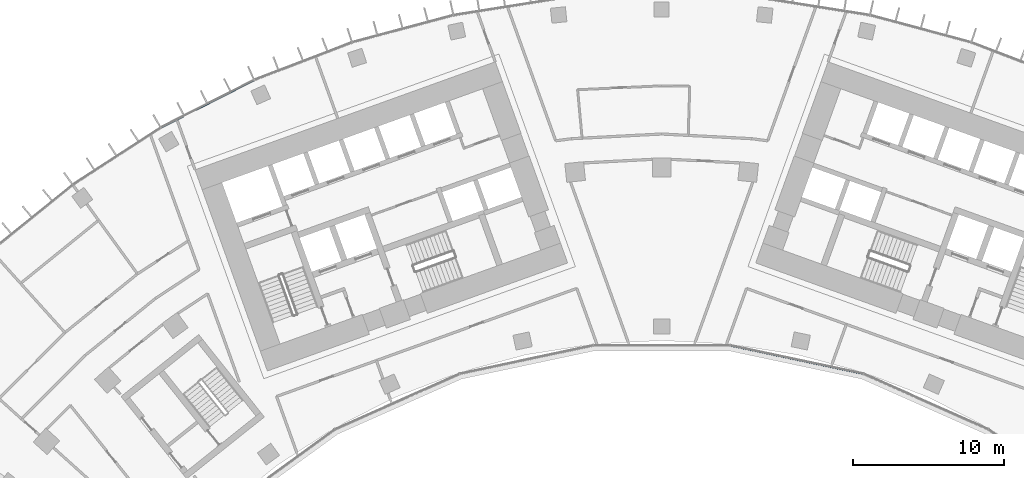
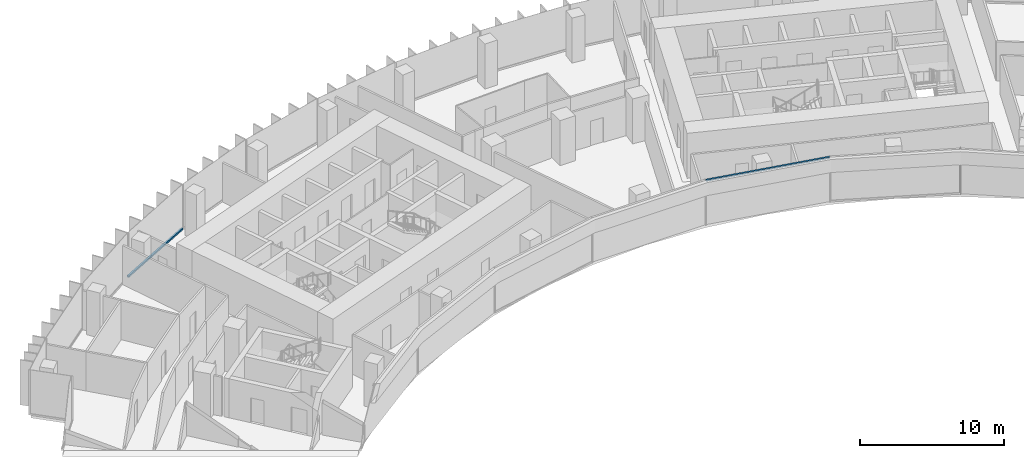
# One storey, part 6 of 21: 2 members, 2 elements without a shape of their own.
"""IFC4 building model written with IfcOpenShell, lengths in metres."""

from ifc_helpers import new_model, si_unit, direction, frame, origin, origin_2d, place, context, subcontext, project, spatial, rectangle, extrude, material, layer, layer_set, material_profile, profile_set, type_object, element, aggregate, save


model = new_model("IFC4")

# Units and contexts
model_context = context("Model", 3, precision=1e-05, world=origin(), true_north=direction((0.0, 1.0)))
body_context = subcontext(model_context, "Body", "Model", "MODEL_VIEW")
ifc_project = project(units=[si_unit("LENGTHUNIT", "METRE"), si_unit("AREAUNIT", "SQUARE_METRE"), si_unit("VOLUMEUNIT", "CUBIC_METRE"), si_unit("PLANEANGLEUNIT", "RADIAN"), si_unit("MASSUNIT", "GRAM", prefix="KILO")], contexts=[model_context])

# Site, building, storey
site_placement = place(None, origin())
site = spatial("IfcSite", under=ifc_project, at=site_placement, CompositionType="ELEMENT")
building_placement = place(site_placement, origin())
building = spatial("IfcBuilding", under=site, at=building_placement, Name="Stone Belt Terrace Tower", CompositionType="ELEMENT")
storey_placement = place(building_placement, frame((0.0, 0.0, 189.60009765625)))
storey = spatial("IfcBuildingStorey", under=building, at=storey_placement, Name="L46", CompositionType="ELEMENT", Elevation=189.60009765625)

# Curtain wall, member
ifc_material = material(Name="Aluminium 6063-T6 anodised frame", Category="aluminium")
ifc_layer_1 = layer(ifc_material, 0.14990234375)
ifc_layer_set_1 = layer_set([ifc_layer_1], Name="CW-A unitised convex-face curtain wall")
curtain_wall_type_1 = type_object("IfcCurtainWallType", Name="CW-A unitised convex-face curtain wall", PredefinedType="NOTDEFINED", material=ifc_layer_set_1)
curtain_wall_1_placement = place(storey_placement, origin())
curtain_wall_1 = element("IfcCurtainWall", 1, at=curtain_wall_1_placement, inside=storey, type_object=curtain_wall_type_1, Name="CW-A convex face L46", PredefinedType="NOTDEFINED")
ifc_material_profile_1 = material_profile(ifc_material, rectangle(XDim=0.14990234375, YDim=0.139892578125, at=origin_2d()), Name="Aluminium 6063-T6 150x140")
ifc_profile_set_1 = profile_set([ifc_material_profile_1], Name="Aluminium 6063-T6 anodised frame")
member_type_1 = type_object("IfcMemberType", Name="CW-A transom 140 x 150", PredefinedType="USERDEFINED", material=ifc_profile_set_1)
member_1_placement = place(storey_placement, frame((-27.108642578125, 60.803955078125, 0.06982421875), z_axis=(-0.891012226264, -0.453979308613, 0.0), x_axis=(0.453979308613, -0.891012226264, 0.0)))
member_1 = element("IfcMember", 2, at=member_1_placement, type_object=member_type_1, Name="CW-A transom 12.1", ObjectType="TRANSOM", PredefinedType="USERDEFINED", context=body_context, shape_type="SweptSolid", body=[
    extrude(rectangle(XDim=0.14990234375, YDim=0.139892578125, at=origin_2d()), origin(), (0.0, 0.0, 1.0), 6.90087890625),
])
aggregate(curtain_wall_1, [member_1])

ifc_layer_2 = layer(ifc_material, 0.14990234375)
ifc_layer_set_2 = layer_set([ifc_layer_2], Name="CW-B unitised concave-face curtain wall")
curtain_wall_type_2 = type_object("IfcCurtainWallType", Name="CW-B unitised concave-face curtain wall", PredefinedType="NOTDEFINED", material=ifc_layer_set_2)
curtain_wall_2_placement = place(storey_placement, origin())
curtain_wall_2 = element("IfcCurtainWall", 3, at=curtain_wall_2_placement, inside=storey, type_object=curtain_wall_type_2, Name="CW-B concave face L46", PredefinedType="NOTDEFINED")
ifc_material_profile_2 = material_profile(ifc_material, rectangle(XDim=0.14990234375, YDim=0.1201171875, at=origin_2d()), Name="Aluminium 6063-T6 150x120")
ifc_profile_set_2 = profile_set([ifc_material_profile_2], Name="Aluminium 6063-T6 anodised frame")
member_type_2 = type_object("IfcMemberType", Name="CW-B transom 120 x 150", PredefinedType="USERDEFINED", material=ifc_profile_set_2)
member_2_placement = place(storey_placement, frame((4.571044921875, 43.179931640625, 3.739990234375), z_axis=(0.9781499003, -0.207900871914, 0.0), x_axis=(0.207900871914, 0.9781499003, 0.0)))
member_2 = element("IfcMember", 4, at=member_2_placement, type_object=member_type_2, Name="CW-B transom 6.1", ObjectType="TRANSOM", PredefinedType="USERDEFINED", context=body_context, shape_type="SweptSolid", body=[
    extrude(rectangle(XDim=0.14990234375, YDim=0.1201171875, at=origin_2d()), origin(), (0.0, 0.0, 1.0), 9.012939453125),
])
aggregate(curtain_wall_2, [member_2])

save(model, "model.ifc")
